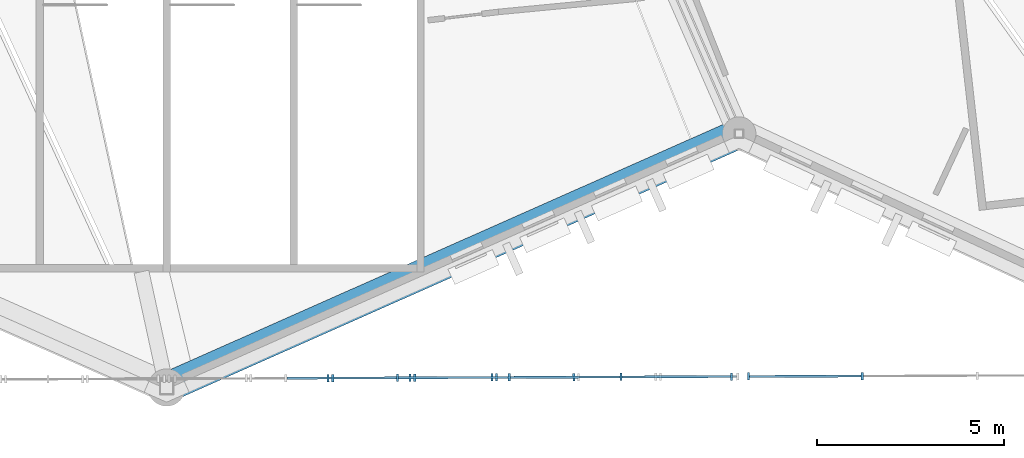
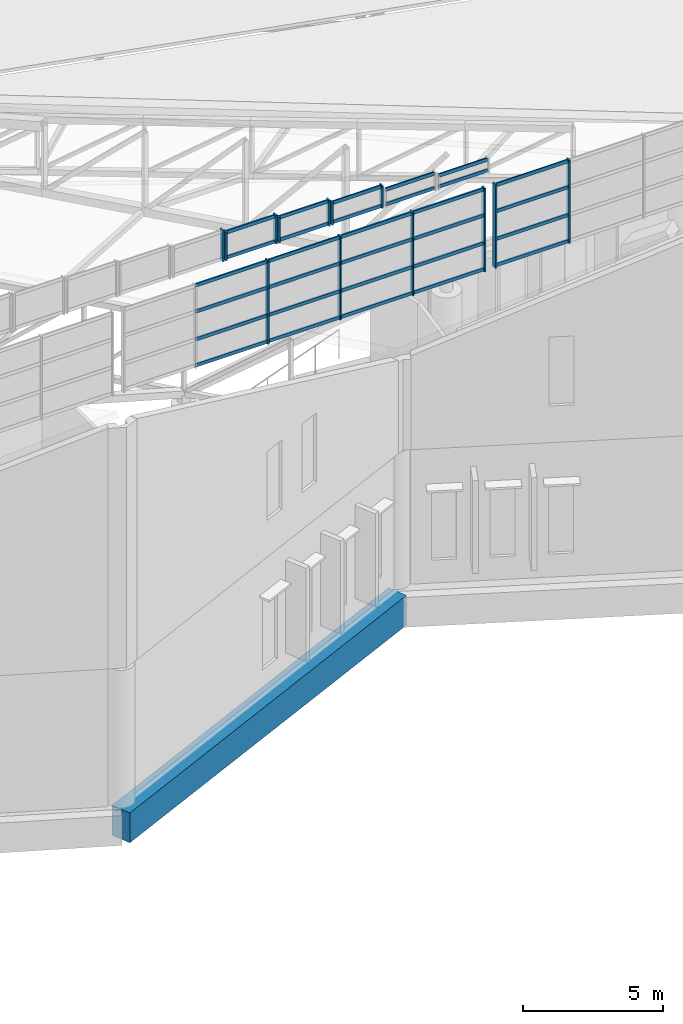
# One storey, part 67 of 344: 43 members, 1 beam, 8 elements without a shape of their own.
"""IFC4 building model written with IfcOpenShell, lengths in metres."""

from ifc_helpers import new_model, si_unit, direction, frame, origin, origin_2d, place, context, subcontext, project, spatial, rectangle, extrude, material, layer, layer_set, material_profile, profile_set, type_object, element, aggregate, save


model = new_model("IFC4")

# Units and contexts
model_context = context("Model", 3, precision=1e-05, world=origin(), true_north=direction((0.0, 1.0)))
body_context = subcontext(model_context, "Body", "Model", "MODEL_VIEW")
ifc_project = project(units=[si_unit("LENGTHUNIT", "METRE"), si_unit("AREAUNIT", "SQUARE_METRE"), si_unit("VOLUMEUNIT", "CUBIC_METRE"), si_unit("PLANEANGLEUNIT", "RADIAN"), si_unit("MASSUNIT", "GRAM", prefix="KILO")], contexts=[model_context])

# Site, building, storey
site_placement = place(None, origin())
site = spatial("IfcSite", under=ifc_project, at=site_placement, CompositionType="ELEMENT")
building_placement = place(site_placement, origin())
building = spatial("IfcBuilding", under=site, at=building_placement, Name="Meseta Stadium", CompositionType="ELEMENT")
storey_placement = place(building_placement, frame((0.0, 0.0, 24.0)))
storey = spatial("IfcBuildingStorey", under=building, at=storey_placement, Name="L04", CompositionType="ELEMENT", Elevation=24.0)

# Curtain wall, member
ifc_material_1 = material(Name="Aluminium", Category="aluminium")
ifc_layer = layer(ifc_material_1, 0.199951171875)
ifc_layer_set = layer_set([ifc_layer], Name="Gable glazing curtain wall")
curtain_wall_type = type_object("IfcCurtainWallType", Name="Gable glazing curtain wall", PredefinedType="NOTDEFINED", material=ifc_layer_set)
curtain_wall_1_placement = place(storey_placement, origin())
curtain_wall_1 = element("IfcCurtainWall", 1, at=curtain_wall_1_placement, inside=storey, type_object=curtain_wall_type, Name="Gable glazing south bay 30", PredefinedType="NOTDEFINED")
ifc_material_2 = material(Name="Aluminium", Category="aluminium")
ifc_material_profile_1 = material_profile(ifc_material_2, rectangle(XDim=0.199951171875, YDim=0.06005859375, at=origin_2d()), Name="CW 200x60")
ifc_profile_set_1 = profile_set([ifc_material_profile_1], Name="Aluminium")
member_type_1 = type_object("IfcMemberType", Name="CW mullion 60x200", PredefinedType="MULLION", material=ifc_profile_set_1)
member_1_placement = place(storey_placement, frame((27.325439453125, -105.1474609375, 21.85498046875), z_axis=(0.0, 0.0, 1.0), x_axis=(-0.003847534181, 0.999992598213, 0.0)))
member_1 = element("IfcMember", 2, at=member_1_placement, type_object=member_type_1, Name="CWG mullion 2", PredefinedType="MULLION", context=body_context, shape_type="SweptSolid", body=[
    extrude(rectangle(XDim=0.199951171875, YDim=0.06005859375, at=origin_2d()), origin(), (0.0, 0.0, 1.0), 1.3544921875),
])
aggregate(curtain_wall_1, [member_1])

# Curtain wall, members
curtain_wall_2_placement = place(storey_placement, origin())
curtain_wall_2 = element("IfcCurtainWall", 3, at=curtain_wall_2_placement, inside=storey, type_object=curtain_wall_type, Name="Gable glazing south bay 31", PredefinedType="NOTDEFINED")
member_2_placement = place(storey_placement, frame((27.449462890625, -105.14697265625, 21.85498046875), z_axis=(0.0, 0.0, 1.0), x_axis=(-0.003847534181, 0.999992598213, 0.0)))
member_2 = element("IfcMember", 4, at=member_2_placement, type_object=member_type_1, Name="CWG mullion 1", PredefinedType="MULLION", context=body_context, shape_type="SweptSolid", body=[
    extrude(rectangle(XDim=0.199951171875, YDim=0.06005859375, at=origin_2d()), origin(), (0.0, 0.0, 1.0), 1.24365234375),
])
member_3_placement = place(storey_placement, frame((29.51953125, -105.138916015625, 21.85498046875), z_axis=(0.0, 0.0, 1.0), x_axis=(-0.003847534181, 0.999992598213, 0.0)))
member_3 = element("IfcMember", 5, at=member_3_placement, type_object=member_type_1, Name="CWG mullion 2", PredefinedType="MULLION", context=body_context, shape_type="SweptSolid", body=[
    extrude(rectangle(XDim=0.199951171875, YDim=0.06005859375, at=origin_2d()), origin(), (0.0, 0.0, 1.0), 1.24365234375),
])

curtain_wall_3_placement = place(storey_placement, origin())
curtain_wall_3 = element("IfcCurtainWall", 6, at=curtain_wall_3_placement, inside=storey, type_object=curtain_wall_type, Name="Gable glazing south bay 32", PredefinedType="NOTDEFINED")
member_4_placement = place(storey_placement, frame((29.6435546875, -105.138427734375, 21.85498046875), z_axis=(0.0, 0.0, 1.0), x_axis=(-0.003847534181, 0.999992598213, 0.0)))
member_4 = element("IfcMember", 7, at=member_4_placement, type_object=member_type_1, Name="CWG mullion 1", PredefinedType="MULLION", context=body_context, shape_type="SweptSolid", body=[
    extrude(rectangle(XDim=0.199951171875, YDim=0.06005859375, at=origin_2d()), origin(), (0.0, 0.0, 1.0), 1.120361328125),
])
member_5_placement = place(storey_placement, frame((31.7138671875, -105.13037109375, 21.85498046875), z_axis=(0.0, 0.0, 1.0), x_axis=(-0.003847534181, 0.999992598213, 0.0)))
member_5 = element("IfcMember", 8, at=member_5_placement, type_object=member_type_1, Name="CWG mullion 2", PredefinedType="MULLION", context=body_context, shape_type="SweptSolid", body=[
    extrude(rectangle(XDim=0.199951171875, YDim=0.06005859375, at=origin_2d()), origin(), (0.0, 0.0, 1.0), 1.120361328125),
])

curtain_wall_4_placement = place(storey_placement, origin())
curtain_wall_4 = element("IfcCurtainWall", 9, at=curtain_wall_4_placement, inside=storey, type_object=curtain_wall_type, Name="Gable glazing south bay 33", PredefinedType="NOTDEFINED")
member_6_placement = place(storey_placement, frame((31.837890625, -105.130126953125, 21.85498046875), z_axis=(0.0, 0.0, 1.0), x_axis=(-0.003847534652, 0.999992598211, 0.0)))
member_6 = element("IfcMember", 10, at=member_6_placement, type_object=member_type_1, Name="CWG mullion 1", PredefinedType="MULLION", context=body_context, shape_type="SweptSolid", body=[
    extrude(rectangle(XDim=0.199951171875, YDim=0.06005859375, at=origin_2d()), origin(), (0.0, 0.0, 1.0), 0.984375),
])
member_7_placement = place(storey_placement, frame((33.907958984375, -105.1220703125, 21.85498046875), z_axis=(0.0, 0.0, 1.0), x_axis=(-0.003847534652, 0.999992598211, 0.0)))
member_7 = element("IfcMember", 11, at=member_7_placement, type_object=member_type_1, Name="CWG mullion 2", PredefinedType="MULLION", context=body_context, shape_type="SweptSolid", body=[
    extrude(rectangle(XDim=0.199951171875, YDim=0.06005859375, at=origin_2d()), origin(), (0.0, 0.0, 1.0), 0.984375),
])

curtain_wall_5_placement = place(storey_placement, origin())
curtain_wall_5 = element("IfcCurtainWall", 12, at=curtain_wall_5_placement, inside=storey, type_object=curtain_wall_type, Name="Gable glazing south lower bay 05", PredefinedType="NOTDEFINED")
member_8_placement = place(storey_placement, frame((29.181884765625, -105.14013671875, 17.60009765625), z_axis=(0.0, 0.0, 1.0), x_axis=(-0.003847534216, 0.999992598213, 0.0)))
member_8 = element("IfcMember", 13, at=member_8_placement, type_object=member_type_1, Name="CWG mullion 3", PredefinedType="MULLION", context=body_context, shape_type="SweptSolid", body=[
    extrude(rectangle(XDim=0.199951171875, YDim=0.06005859375, at=origin_2d()), origin(), (0.0, 0.0, 1.0), 3.635009765625),
])
member_9_placement = place(storey_placement, frame((32.175537109375, -105.128662109375, 17.60009765625), z_axis=(0.0, 0.0, 1.0), x_axis=(-0.003847534216, 0.999992598213, 0.0)))
member_9 = element("IfcMember", 14, at=member_9_placement, type_object=member_type_1, Name="CWG mullion 4", PredefinedType="MULLION", context=body_context, shape_type="SweptSolid", body=[
    extrude(rectangle(XDim=0.199951171875, YDim=0.06005859375, at=origin_2d()), origin(), (0.0, 0.0, 1.0), 3.635009765625),
])
member_10_placement = place(storey_placement, frame((35.169189453125, -105.1171875, 17.60009765625), z_axis=(0.0, 0.0, 1.0), x_axis=(-0.003847534216, 0.999992598213, 0.0)))
member_10 = element("IfcMember", 15, at=member_10_placement, type_object=member_type_1, Name="CWG mullion 5", PredefinedType="MULLION", context=body_context, shape_type="SweptSolid", body=[
    extrude(rectangle(XDim=0.199951171875, YDim=0.06005859375, at=origin_2d()), origin(), (0.0, 0.0, 1.0), 3.635009765625),
])
member_11_placement = place(storey_placement, frame((38.1328125, -105.105712890625, 17.60009765625), z_axis=(0.0, 0.0, 1.0), x_axis=(-0.003847534216, 0.999992598213, 0.0)))
member_11 = element("IfcMember", 16, at=member_11_placement, type_object=member_type_1, Name="CWG mullion 6", PredefinedType="MULLION", context=body_context, shape_type="SweptSolid", body=[
    extrude(rectangle(XDim=0.199951171875, YDim=0.06005859375, at=origin_2d()), origin(), (0.0, 0.0, 1.0), 3.635009765625),
])

curtain_wall_6_placement = place(storey_placement, origin())
curtain_wall_6 = element("IfcCurtainWall", 17, at=curtain_wall_6_placement, inside=storey, type_object=curtain_wall_type, Name="Gable glazing south lower bay 06", PredefinedType="NOTDEFINED")
member_12_placement = place(storey_placement, frame((38.583740234375, -105.10400390625, 17.60009765625), z_axis=(0.0, 0.0, 1.0), x_axis=(-0.003847534233, 0.999992598213, 0.0)))
member_12 = element("IfcMember", 18, at=member_12_placement, type_object=member_type_1, Name="CWG mullion 1", PredefinedType="MULLION", context=body_context, shape_type="SweptSolid", body=[
    extrude(rectangle(XDim=0.199951171875, YDim=0.06005859375, at=origin_2d()), origin(), (0.0, 0.0, 1.0), 3.635009765625),
])
member_13_placement = place(storey_placement, frame((41.633056640625, -105.09228515625, 17.60009765625), z_axis=(0.0, 0.0, 1.0), x_axis=(-0.003847534233, 0.999992598213, 0.0)))
member_13 = element("IfcMember", 19, at=member_13_placement, type_object=member_type_1, Name="CWG mullion 2", PredefinedType="MULLION", context=body_context, shape_type="SweptSolid", body=[
    extrude(rectangle(XDim=0.199951171875, YDim=0.06005859375, at=origin_2d()), origin(), (0.0, 0.0, 1.0), 3.635009765625),
])

# Member
ifc_material_3 = material(Name="Aluminium", Category="aluminium")
ifc_material_profile_2 = material_profile(ifc_material_3, rectangle(XDim=0.06005859375, YDim=0.14990234375, at=origin_2d()), Name="CW 60x150")
ifc_profile_set_2 = profile_set([ifc_material_profile_2], Name="Aluminium")
member_type_2 = type_object("IfcMemberType", Name="CW transom 60x150", PredefinedType="USERDEFINED", material=ifc_profile_set_2)
member_14_placement = place(storey_placement, frame((27.4794921875, -105.146728515625, 21.929931640625), z_axis=(0.999992912925, 0.003764850656, 0.0), x_axis=(-0.003764850656, 0.999992912925, 0.0)))
member_14 = element("IfcMember", 20, at=member_14_placement, type_object=member_type_2, Name="CWG transom 1.1", ObjectType="TRANSOM", PredefinedType="USERDEFINED", context=body_context, shape_type="SweptSolid", body=[
    extrude(rectangle(XDim=0.06005859375, YDim=0.14990234375, at=origin_2d()), origin(), (0.0, 0.0, 1.0), 2.01025390625),
])

member_15_placement = place(storey_placement, frame((27.4794921875, -105.146728515625, 23.023681640625), z_axis=(0.999992912925, 0.003764850656, 0.0), x_axis=(-0.003764850656, 0.999992912925, 0.0)))
member_15 = element("IfcMember", 21, at=member_15_placement, type_object=member_type_2, Name="CWG transom 1.2", ObjectType="TRANSOM", PredefinedType="USERDEFINED", context=body_context, shape_type="SweptSolid", body=[
    extrude(rectangle(XDim=0.06005859375, YDim=0.14990234375, at=origin_2d()), origin(), (0.0, 0.0, 1.0), 2.01025390625),
])

aggregate(curtain_wall_2, [member_2, member_3, member_14, member_15])

member_16_placement = place(storey_placement, frame((29.673583984375, -105.138427734375, 21.929931640625), z_axis=(0.999992448325, 0.003886295646, 0.0), x_axis=(-0.003886295646, 0.999992448325, 0.0)))
member_16 = element("IfcMember", 22, at=member_16_placement, type_object=member_type_2, Name="CWG transom 1.1", ObjectType="TRANSOM", PredefinedType="USERDEFINED", context=body_context, shape_type="SweptSolid", body=[
    extrude(rectangle(XDim=0.06005859375, YDim=0.14990234375, at=origin_2d()), origin(), (0.0, 0.0, 1.0), 2.01025390625),
])

member_17_placement = place(storey_placement, frame((29.673583984375, -105.138427734375, 22.900390625), z_axis=(0.999992448325, 0.003886295646, 0.0), x_axis=(-0.003886295646, 0.999992448325, 0.0)))
member_17 = element("IfcMember", 23, at=member_17_placement, type_object=member_type_2, Name="CWG transom 1.2", ObjectType="TRANSOM", PredefinedType="USERDEFINED", context=body_context, shape_type="SweptSolid", body=[
    extrude(rectangle(XDim=0.06005859375, YDim=0.14990234375, at=origin_2d()), origin(), (0.0, 0.0, 1.0), 2.01025390625),
])

aggregate(curtain_wall_3, [member_4, member_5, member_16, member_17])

member_18_placement = place(storey_placement, frame((31.867919921875, -105.1298828125, 21.929931640625), z_axis=(0.99999244649, 0.003886767677, 0.0), x_axis=(-0.003886767677, 0.99999244649, 0.0)))
member_18 = element("IfcMember", 24, at=member_18_placement, type_object=member_type_2, Name="CWG transom 1.1", ObjectType="TRANSOM", PredefinedType="USERDEFINED", context=body_context, shape_type="SweptSolid", body=[
    extrude(rectangle(XDim=0.06005859375, YDim=0.14990234375, at=origin_2d()), origin(), (0.0, 0.0, 1.0), 2.010009765625),
])

member_19_placement = place(storey_placement, frame((31.867919921875, -105.1298828125, 22.764404296875), z_axis=(0.99999244649, 0.003886767677, 0.0), x_axis=(-0.003886767677, 0.99999244649, 0.0)))
member_19 = element("IfcMember", 25, at=member_19_placement, type_object=member_type_2, Name="CWG transom 1.2", ObjectType="TRANSOM", PredefinedType="USERDEFINED", context=body_context, shape_type="SweptSolid", body=[
    extrude(rectangle(XDim=0.06005859375, YDim=0.14990234375, at=origin_2d()), origin(), (0.0, 0.0, 1.0), 2.010009765625),
])

aggregate(curtain_wall_4, [member_6, member_7, member_18, member_19])

# Curtain wall, members
curtain_wall_7_placement = place(storey_placement, origin())
curtain_wall_7 = element("IfcCurtainWall", 26, at=curtain_wall_7_placement, inside=storey, type_object=curtain_wall_type, Name="Gable glazing south bay 34", PredefinedType="NOTDEFINED")
member_20_placement = place(storey_placement, frame((34.06201171875, -105.121337890625, 21.929931640625), z_axis=(0.999992912925, 0.003764850656, 0.0), x_axis=(-0.003764850656, 0.999992912925, 0.0)))
member_20 = element("IfcMember", 27, at=member_20_placement, type_object=member_type_2, Name="CWG transom 1.1", ObjectType="TRANSOM", PredefinedType="USERDEFINED", context=body_context, shape_type="SweptSolid", body=[
    extrude(rectangle(XDim=0.06005859375, YDim=0.14990234375, at=origin_2d()), origin(), (0.0, 0.0, 1.0), 2.01025390625),
])
member_21_placement = place(storey_placement, frame((34.06201171875, -105.121337890625, 22.565673828125), z_axis=(0.999992912925, 0.003764850656, 0.0), x_axis=(-0.003764850656, 0.999992912925, 0.0)))
member_21 = element("IfcMember", 28, at=member_21_placement, type_object=member_type_2, Name="CWG transom 1.2", ObjectType="TRANSOM", PredefinedType="USERDEFINED", context=body_context, shape_type="SweptSolid", body=[
    extrude(rectangle(XDim=0.06005859375, YDim=0.14990234375, at=origin_2d()), origin(), (0.0, 0.0, 1.0), 2.01025390625),
])
aggregate(curtain_wall_7, [member_20, member_21])

curtain_wall_8_placement = place(storey_placement, origin())
curtain_wall_8 = element("IfcCurtainWall", 29, at=curtain_wall_8_placement, inside=storey, type_object=curtain_wall_type, Name="Gable glazing south bay 35", PredefinedType="NOTDEFINED")
member_22_placement = place(storey_placement, frame((36.256103515625, -105.113037109375, 21.929931640625), z_axis=(0.999992448325, 0.003886295646, 0.0), x_axis=(-0.003886295646, 0.999992448325, 0.0)))
member_22 = element("IfcMember", 30, at=member_22_placement, type_object=member_type_2, Name="CWG transom 1.1", ObjectType="TRANSOM", PredefinedType="USERDEFINED", context=body_context, shape_type="SweptSolid", body=[
    extrude(rectangle(XDim=0.06005859375, YDim=0.14990234375, at=origin_2d()), origin(), (0.0, 0.0, 1.0), 2.01025390625),
])
member_23_placement = place(storey_placement, frame((36.256103515625, -105.113037109375, 22.40380859375), z_axis=(0.999992448325, 0.003886295646, 0.0), x_axis=(-0.003886295646, 0.999992448325, 0.0)))
member_23 = element("IfcMember", 31, at=member_23_placement, type_object=member_type_2, Name="CWG transom 1.2", ObjectType="TRANSOM", PredefinedType="USERDEFINED", context=body_context, shape_type="SweptSolid", body=[
    extrude(rectangle(XDim=0.06005859375, YDim=0.14990234375, at=origin_2d()), origin(), (0.0, 0.0, 1.0), 2.01025390625),
])
aggregate(curtain_wall_8, [member_22, member_23])

# Member
member_24_placement = place(storey_placement, frame((26.21826171875, -105.151611328125, 17.675048828125), z_axis=(0.999992672412, 0.003828200976, 0.0), x_axis=(-0.003828200976, 0.999992672412, 0.0)))
member_24 = element("IfcMember", 32, at=member_24_placement, type_object=member_type_2, Name="CWG transom 2.1", ObjectType="TRANSOM", PredefinedType="USERDEFINED", context=body_context, shape_type="SweptSolid", body=[
    extrude(rectangle(XDim=0.06005859375, YDim=0.14990234375, at=origin_2d()), origin(), (0.0, 0.0, 1.0), 2.93359375),
])

member_25_placement = place(storey_placement, frame((26.21826171875, -105.151611328125, 18.811767578125), z_axis=(0.999992672412, 0.003828200976, 0.0), x_axis=(-0.003828200976, 0.999992672412, 0.0)))
member_25 = element("IfcMember", 33, at=member_25_placement, type_object=member_type_2, Name="CWG transom 2.2", ObjectType="TRANSOM", PredefinedType="USERDEFINED", context=body_context, shape_type="SweptSolid", body=[
    extrude(rectangle(XDim=0.06005859375, YDim=0.14990234375, at=origin_2d()), origin(), (0.0, 0.0, 1.0), 2.93359375),
])

member_26_placement = place(storey_placement, frame((26.21826171875, -105.151611328125, 20.0234375), z_axis=(0.999992672412, 0.003828200976, 0.0), x_axis=(-0.003828200976, 0.999992672412, 0.0)))
member_26 = element("IfcMember", 34, at=member_26_placement, type_object=member_type_2, Name="CWG transom 2.3", ObjectType="TRANSOM", PredefinedType="USERDEFINED", context=body_context, shape_type="SweptSolid", body=[
    extrude(rectangle(XDim=0.06005859375, YDim=0.14990234375, at=origin_2d()), origin(), (0.0, 0.0, 1.0), 2.93359375),
])

member_27_placement = place(storey_placement, frame((26.21826171875, -105.151611328125, 21.159912109375), z_axis=(0.999992672412, 0.003828200976, 0.0), x_axis=(-0.003828200976, 0.999992672412, 0.0)))
member_27 = element("IfcMember", 35, at=member_27_placement, type_object=member_type_2, Name="CWG transom 2.4", ObjectType="TRANSOM", PredefinedType="USERDEFINED", context=body_context, shape_type="SweptSolid", body=[
    extrude(rectangle(XDim=0.06005859375, YDim=0.14990234375, at=origin_2d()), origin(), (0.0, 0.0, 1.0), 2.93359375),
])

member_28_placement = place(storey_placement, frame((29.2119140625, -105.14013671875, 17.675048828125), z_axis=(0.999992672412, 0.003828200976, 0.0), x_axis=(-0.003828200976, 0.999992672412, 0.0)))
member_28 = element("IfcMember", 36, at=member_28_placement, type_object=member_type_2, Name="CWG transom 3.1", ObjectType="TRANSOM", PredefinedType="USERDEFINED", context=body_context, shape_type="SweptSolid", body=[
    extrude(rectangle(XDim=0.06005859375, YDim=0.14990234375, at=origin_2d()), origin(), (0.0, 0.0, 1.0), 2.93359375),
])

member_29_placement = place(storey_placement, frame((29.2119140625, -105.14013671875, 18.811767578125), z_axis=(0.999992672412, 0.003828200976, 0.0), x_axis=(-0.003828200976, 0.999992672412, 0.0)))
member_29 = element("IfcMember", 37, at=member_29_placement, type_object=member_type_2, Name="CWG transom 3.2", ObjectType="TRANSOM", PredefinedType="USERDEFINED", context=body_context, shape_type="SweptSolid", body=[
    extrude(rectangle(XDim=0.06005859375, YDim=0.14990234375, at=origin_2d()), origin(), (0.0, 0.0, 1.0), 2.93359375),
])

member_30_placement = place(storey_placement, frame((29.2119140625, -105.14013671875, 20.0234375), z_axis=(0.999992672412, 0.003828200976, 0.0), x_axis=(-0.003828200976, 0.999992672412, 0.0)))
member_30 = element("IfcMember", 38, at=member_30_placement, type_object=member_type_2, Name="CWG transom 3.3", ObjectType="TRANSOM", PredefinedType="USERDEFINED", context=body_context, shape_type="SweptSolid", body=[
    extrude(rectangle(XDim=0.06005859375, YDim=0.14990234375, at=origin_2d()), origin(), (0.0, 0.0, 1.0), 2.93359375),
])

member_31_placement = place(storey_placement, frame((29.2119140625, -105.14013671875, 21.159912109375), z_axis=(0.999992672412, 0.003828200976, 0.0), x_axis=(-0.003828200976, 0.999992672412, 0.0)))
member_31 = element("IfcMember", 39, at=member_31_placement, type_object=member_type_2, Name="CWG transom 3.4", ObjectType="TRANSOM", PredefinedType="USERDEFINED", context=body_context, shape_type="SweptSolid", body=[
    extrude(rectangle(XDim=0.06005859375, YDim=0.14990234375, at=origin_2d()), origin(), (0.0, 0.0, 1.0), 2.93359375),
])

member_32_placement = place(storey_placement, frame((32.20556640625, -105.128662109375, 17.675048828125), z_axis=(0.999992672412, 0.003828200976, 0.0), x_axis=(-0.003828200976, 0.999992672412, 0.0)))
member_32 = element("IfcMember", 40, at=member_32_placement, type_object=member_type_2, Name="CWG transom 4.1", ObjectType="TRANSOM", PredefinedType="USERDEFINED", context=body_context, shape_type="SweptSolid", body=[
    extrude(rectangle(XDim=0.06005859375, YDim=0.14990234375, at=origin_2d()), origin(), (0.0, 0.0, 1.0), 2.93359375),
])

member_33_placement = place(storey_placement, frame((32.20556640625, -105.128662109375, 18.811767578125), z_axis=(0.999992672412, 0.003828200976, 0.0), x_axis=(-0.003828200976, 0.999992672412, 0.0)))
member_33 = element("IfcMember", 41, at=member_33_placement, type_object=member_type_2, Name="CWG transom 4.2", ObjectType="TRANSOM", PredefinedType="USERDEFINED", context=body_context, shape_type="SweptSolid", body=[
    extrude(rectangle(XDim=0.06005859375, YDim=0.14990234375, at=origin_2d()), origin(), (0.0, 0.0, 1.0), 2.93359375),
])

member_34_placement = place(storey_placement, frame((32.20556640625, -105.128662109375, 20.0234375), z_axis=(0.999992672412, 0.003828200976, 0.0), x_axis=(-0.003828200976, 0.999992672412, 0.0)))
member_34 = element("IfcMember", 42, at=member_34_placement, type_object=member_type_2, Name="CWG transom 4.3", ObjectType="TRANSOM", PredefinedType="USERDEFINED", context=body_context, shape_type="SweptSolid", body=[
    extrude(rectangle(XDim=0.06005859375, YDim=0.14990234375, at=origin_2d()), origin(), (0.0, 0.0, 1.0), 2.93359375),
])

member_35_placement = place(storey_placement, frame((32.20556640625, -105.128662109375, 21.159912109375), z_axis=(0.999992672412, 0.003828200976, 0.0), x_axis=(-0.003828200976, 0.999992672412, 0.0)))
member_35 = element("IfcMember", 43, at=member_35_placement, type_object=member_type_2, Name="CWG transom 4.4", ObjectType="TRANSOM", PredefinedType="USERDEFINED", context=body_context, shape_type="SweptSolid", body=[
    extrude(rectangle(XDim=0.06005859375, YDim=0.14990234375, at=origin_2d()), origin(), (0.0, 0.0, 1.0), 2.93359375),
])

member_36_placement = place(storey_placement, frame((35.19921875, -105.1171875, 17.675048828125), z_axis=(0.999992520063, 0.003867792476, 0.0), x_axis=(-0.003867792476, 0.999992520063, 0.0)))
member_36 = element("IfcMember", 44, at=member_36_placement, type_object=member_type_2, Name="CWG transom 5.1", ObjectType="TRANSOM", PredefinedType="USERDEFINED", context=body_context, shape_type="SweptSolid", body=[
    extrude(rectangle(XDim=0.06005859375, YDim=0.14990234375, at=origin_2d()), origin(), (0.0, 0.0, 1.0), 2.903564453125),
])

member_37_placement = place(storey_placement, frame((35.19921875, -105.1171875, 18.811767578125), z_axis=(0.999992520063, 0.003867792476, 0.0), x_axis=(-0.003867792476, 0.999992520063, 0.0)))
member_37 = element("IfcMember", 45, at=member_37_placement, type_object=member_type_2, Name="CWG transom 5.2", ObjectType="TRANSOM", PredefinedType="USERDEFINED", context=body_context, shape_type="SweptSolid", body=[
    extrude(rectangle(XDim=0.06005859375, YDim=0.14990234375, at=origin_2d()), origin(), (0.0, 0.0, 1.0), 2.903564453125),
])

member_38_placement = place(storey_placement, frame((35.19921875, -105.1171875, 20.0234375), z_axis=(0.999992520063, 0.003867792476, 0.0), x_axis=(-0.003867792476, 0.999992520063, 0.0)))
member_38 = element("IfcMember", 46, at=member_38_placement, type_object=member_type_2, Name="CWG transom 5.3", ObjectType="TRANSOM", PredefinedType="USERDEFINED", context=body_context, shape_type="SweptSolid", body=[
    extrude(rectangle(XDim=0.06005859375, YDim=0.14990234375, at=origin_2d()), origin(), (0.0, 0.0, 1.0), 2.903564453125),
])

member_39_placement = place(storey_placement, frame((35.19921875, -105.1171875, 21.159912109375), z_axis=(0.999992520063, 0.003867792476, 0.0), x_axis=(-0.003867792476, 0.999992520063, 0.0)))
member_39 = element("IfcMember", 47, at=member_39_placement, type_object=member_type_2, Name="CWG transom 5.4", ObjectType="TRANSOM", PredefinedType="USERDEFINED", context=body_context, shape_type="SweptSolid", body=[
    extrude(rectangle(XDim=0.06005859375, YDim=0.14990234375, at=origin_2d()), origin(), (0.0, 0.0, 1.0), 2.903564453125),
])

aggregate(curtain_wall_5, [member_8, member_9, member_10, member_11, member_24, member_25, member_26, member_27, member_28, member_29, member_30, member_31, member_32, member_33, member_34, member_35, member_36, member_37, member_38, member_39])

member_40_placement = place(storey_placement, frame((38.61376953125, -105.10400390625, 17.675048828125), z_axis=(0.9999926326, 0.003838586551, 0.0), x_axis=(-0.003838586551, 0.9999926326, 0.0)))
member_40 = element("IfcMember", 48, at=member_40_placement, type_object=member_type_2, Name="CWG transom 1.1", ObjectType="TRANSOM", PredefinedType="USERDEFINED", context=body_context, shape_type="SweptSolid", body=[
    extrude(rectangle(XDim=0.06005859375, YDim=0.14990234375, at=origin_2d()), origin(), (0.0, 0.0, 1.0), 2.9892578125),
])

member_41_placement = place(storey_placement, frame((38.61376953125, -105.10400390625, 18.811767578125), z_axis=(0.9999926326, 0.003838586551, 0.0), x_axis=(-0.003838586551, 0.9999926326, 0.0)))
member_41 = element("IfcMember", 49, at=member_41_placement, type_object=member_type_2, Name="CWG transom 1.2", ObjectType="TRANSOM", PredefinedType="USERDEFINED", context=body_context, shape_type="SweptSolid", body=[
    extrude(rectangle(XDim=0.06005859375, YDim=0.14990234375, at=origin_2d()), origin(), (0.0, 0.0, 1.0), 2.9892578125),
])

member_42_placement = place(storey_placement, frame((38.61376953125, -105.10400390625, 20.0234375), z_axis=(0.9999926326, 0.003838586551, 0.0), x_axis=(-0.003838586551, 0.9999926326, 0.0)))
member_42 = element("IfcMember", 50, at=member_42_placement, type_object=member_type_2, Name="CWG transom 1.3", ObjectType="TRANSOM", PredefinedType="USERDEFINED", context=body_context, shape_type="SweptSolid", body=[
    extrude(rectangle(XDim=0.06005859375, YDim=0.14990234375, at=origin_2d()), origin(), (0.0, 0.0, 1.0), 2.9892578125),
])

member_43_placement = place(storey_placement, frame((38.61376953125, -105.10400390625, 21.159912109375), z_axis=(0.9999926326, 0.003838586551, 0.0), x_axis=(-0.003838586551, 0.9999926326, 0.0)))
member_43 = element("IfcMember", 51, at=member_43_placement, type_object=member_type_2, Name="CWG transom 1.4", ObjectType="TRANSOM", PredefinedType="USERDEFINED", context=body_context, shape_type="SweptSolid", body=[
    extrude(rectangle(XDim=0.06005859375, YDim=0.14990234375, at=origin_2d()), origin(), (0.0, 0.0, 1.0), 2.9892578125),
])

aggregate(curtain_wall_6, [member_12, member_13, member_40, member_41, member_42, member_43])

# Beam
ifc_material_4 = material(Name="Concrete C40/50", Category="concrete")
ifc_material_profile_3 = material_profile(ifc_material_4, rectangle(XDim=0.800048828125, YDim=1.300048828125, at=origin_2d()), Name="RC 800x1300")
ifc_profile_set_3 = profile_set([ifc_material_profile_3], Name="Concrete C40/50")
beam_type = type_object("IfcBeamType", Name="RC beam 800x1300", PredefinedType="BEAM", material=ifc_profile_set_3)
beam_placement = place(storey_placement, frame((23.0, -105.39990234375, -1.050048828125), z_axis=(0.914142564088, 0.405392861953, 0.0), x_axis=(-0.405392861953, 0.914142564088, 0.0)))
element("IfcBeam", 52, at=beam_placement, inside=storey, type_object=beam_type, Name="L04 ring beam frame 48 line R", PredefinedType="BEAM", context=body_context, shape_type="SweptSolid", body=[
    extrude(rectangle(XDim=0.800048828125, YDim=1.300048828125, at=origin_2d()), origin(), (0.0, 0.0, 1.0), 16.7734375),
])

save(model, "model.ifc")
